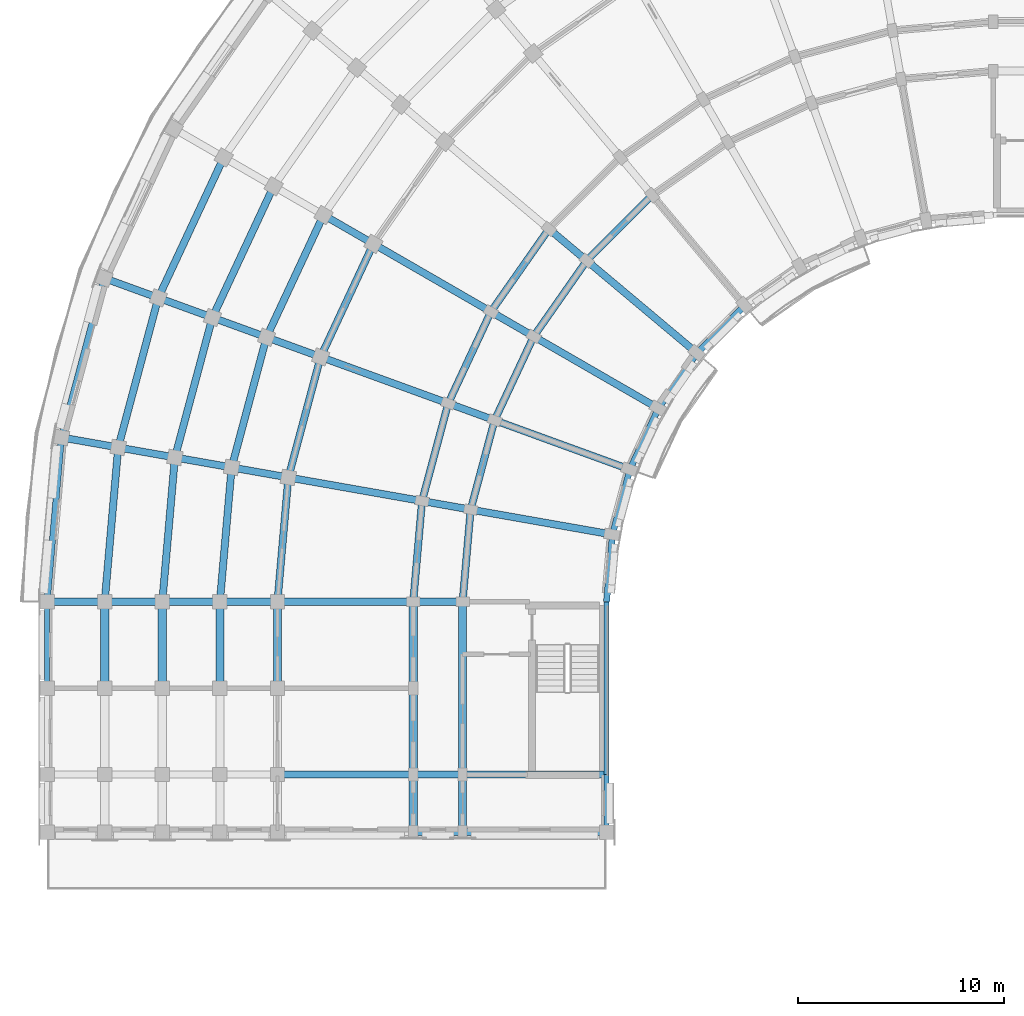
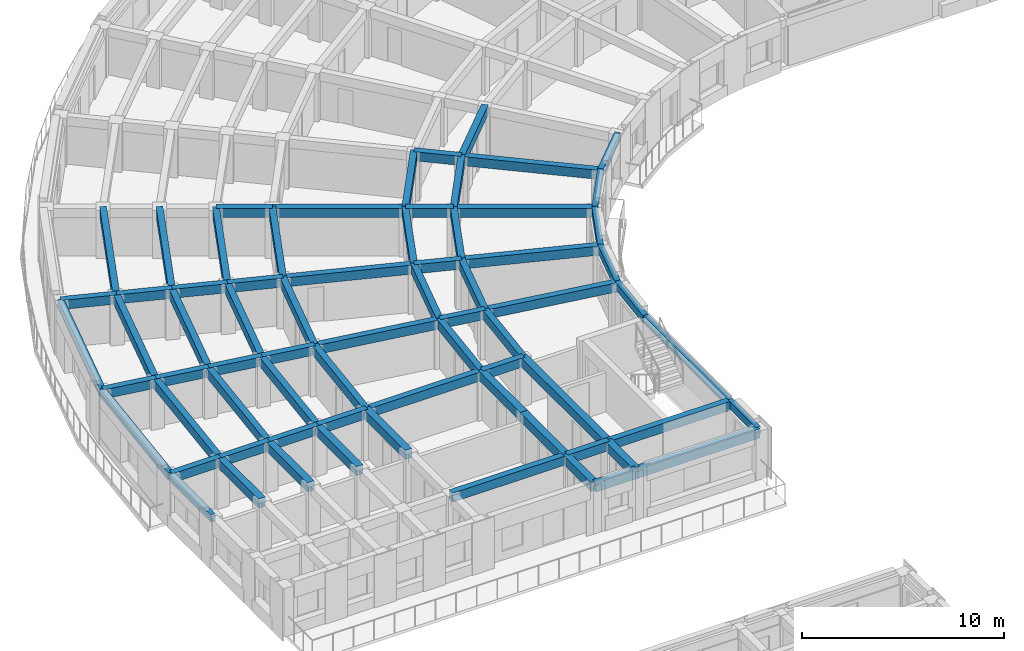
# One storey, part 7 of 54: 71 beams.
"""IFC4 building model written with IfcOpenShell, lengths in metres."""

from ifc_helpers import new_model, si_unit, direction, frame, origin, origin_2d, place, context, subcontext, project, spatial, rectangle, extrude, material, material_profile, profile_set, type_object, element, save


model = new_model("IFC4")

# Units and contexts
model_context = context("Model", 3, precision=1e-05, world=origin(), true_north=direction((0.0, 1.0)))
body_context = subcontext(model_context, "Body", "Model", "MODEL_VIEW")
ifc_project = project(units=[si_unit("LENGTHUNIT", "METRE"), si_unit("AREAUNIT", "SQUARE_METRE"), si_unit("VOLUMEUNIT", "CUBIC_METRE"), si_unit("PLANEANGLEUNIT", "RADIAN"), si_unit("MASSUNIT", "GRAM", prefix="KILO")], contexts=[model_context])

# Site, building, storey
site_placement = place(None, origin())
site = spatial("IfcSite", under=ifc_project, at=site_placement, CompositionType="ELEMENT")
building_placement = place(site_placement, origin())
building = spatial("IfcBuilding", under=site, at=building_placement, Name="Kiranvali Square Residences", CompositionType="ELEMENT")
storey_placement = place(building_placement, frame((0.0, 0.0, 27.60009765625)))
storey = spatial("IfcBuildingStorey", under=building, at=storey_placement, Name="L08", CompositionType="ELEMENT", Elevation=27.60009765625)

# Beams
ifc_material_1 = material(Name="Concrete M40 (40 MPa)", Category="concrete")
ifc_material_profile_1 = material_profile(ifc_material_1, rectangle(XDim=0.35009765625, YDim=0.550048828125, at=origin_2d()), Name="RC 350x550")
ifc_profile_set_1 = profile_set([ifc_material_profile_1], Name="Concrete M40 (40 MPa)")
beam_type_1 = type_object("IfcBeamType", Name="BM-M40-350x550", PredefinedType="BEAM", material=ifc_profile_set_1)
beam_1_placement = place(storey_placement, frame((31.615966796875, 107.56396484375, 2.65478515625), z_axis=(-0.707106781187, -0.707106781187, 0.0), x_axis=(0.707106781187, -0.707106781187, 0.0)))
element("IfcBeam", 1, at=beam_1_placement, inside=storey, type_object=beam_type_1, Name="L08 beam BM-A-L08-C04-R1", PredefinedType="BEAM", context=body_context, shape_type="SweptSolid", body=[
    extrude(rectangle(XDim=0.35009765625, YDim=0.550048828125, at=origin_2d()), origin(), (0.0, 0.0, 1.0), 4.4970703125),
])
beam_2_placement = place(storey_placement, frame((28.43603515625, 104.384033203125, 2.65478515625), z_axis=(-0.573571637217, -0.819155404658, 0.0), x_axis=(0.819155404658, -0.573571637217, 0.0)))
element("IfcBeam", 2, at=beam_2_placement, inside=storey, type_object=beam_type_1, Name="L08 beam BM-A-L08-C05-R1", PredefinedType="BEAM", context=body_context, shape_type="SweptSolid", body=[
    extrude(rectangle(XDim=0.35009765625, YDim=0.550048828125, at=origin_2d()), origin(), (0.0, 0.0, 1.0), 4.497314453125),
])
beam_3_placement = place(storey_placement, frame((26.59765625, 105.926513671875, 2.65478515625), z_axis=(-0.573592335331, -0.819140911474, 0.0), x_axis=(0.819140911474, -0.573592335331, 0.0)))
element("IfcBeam", 3, at=beam_3_placement, inside=storey, type_object=beam_type_1, Name="L08 beam BM-A-L08-C05-R2", PredefinedType="BEAM", context=body_context, shape_type="SweptSolid", body=[
    extrude(rectangle(XDim=0.35009765625, YDim=0.550048828125, at=origin_2d()), origin(), (0.0, 0.0, 1.0), 4.915771484375),
])
beam_4_placement = place(storey_placement, frame((25.8564453125, 100.699951171875, 2.65478515625), z_axis=(-0.422617978463, -0.906307919131, 0.0), x_axis=(0.906307919131, -0.422617978463, 0.0)))
element("IfcBeam", 4, at=beam_4_placement, inside=storey, type_object=beam_type_1, Name="L08 beam BM-A-L08-C06-R1", PredefinedType="BEAM", context=body_context, shape_type="SweptSolid", body=[
    extrude(rectangle(XDim=0.35009765625, YDim=0.550048828125, at=origin_2d()), origin(), (0.0, 0.0, 1.0), 4.497314453125),
])
beam_5_placement = place(storey_placement, frame((23.778076171875, 101.89990234375, 2.65478515625), z_axis=(-0.422629854778, -0.906302381024, 0.0), x_axis=(0.906302381024, -0.422629854778, 0.0)))
element("IfcBeam", 5, at=beam_5_placement, inside=storey, type_object=beam_type_1, Name="L08 beam BM-A-L08-C06-R2", PredefinedType="BEAM", context=body_context, shape_type="SweptSolid", body=[
    extrude(rectangle(XDim=0.35009765625, YDim=0.550048828125, at=origin_2d()), origin(), (0.0, 0.0, 1.0), 4.915283203125),
])
beam_6_placement = place(storey_placement, frame((18.062255859375, 105.199951171875, 2.65478515625), z_axis=(-0.42260781991, -0.906312656069, 0.0), x_axis=(0.906312656069, -0.42260781991, 0.0)))
element("IfcBeam", 6, at=beam_6_placement, inside=storey, type_object=beam_type_1, Name="L08 beam BM-A-L08-C06-R3", PredefinedType="BEAM", context=body_context, shape_type="SweptSolid", body=[
    extrude(rectangle(XDim=0.35009765625, YDim=0.550048828125, at=origin_2d()), origin(), (0.0, 0.0, 1.0), 6.06591796875),
])
beam_7_placement = place(storey_placement, frame((15.637451171875, 106.60009765625, 2.65478515625), z_axis=(-0.422595876255, -0.906318225223, 0.0), x_axis=(0.906318225223, -0.422595876255, 0.0)))
element("IfcBeam", 7, at=beam_7_placement, inside=storey, type_object=beam_type_1, Name="L08 beam BM-A-L08-C06-R4", PredefinedType="BEAM", context=body_context, shape_type="SweptSolid", body=[
    extrude(rectangle(XDim=0.35009765625, YDim=0.550048828125, at=origin_2d()), origin(), (0.0, 0.0, 1.0), 6.55419921875),
])
beam_8_placement = place(storey_placement, frame((13.212646484375, 108.0, 2.65478515625), z_axis=(-0.422640621205, -0.906297360311, 0.0), x_axis=(0.906297360311, -0.422640621205, 0.0)))
element("IfcBeam", 8, at=beam_8_placement, inside=storey, type_object=beam_type_1, Name="L08 beam BM-A-L08-C06-R5", PredefinedType="BEAM", context=body_context, shape_type="SweptSolid", body=[
    extrude(rectangle(XDim=0.35009765625, YDim=0.550048828125, at=origin_2d()), origin(), (0.0, 0.0, 1.0), 7.042236328125),
])
beam_9_placement = place(storey_placement, frame((10.78759765625, 109.39990234375, 2.65478515625), z_axis=(-0.422613886933, -0.90630982703, 0.0), x_axis=(0.90630982703, -0.422613886933, 0.0)))
element("IfcBeam", 9, at=beam_9_placement, inside=storey, type_object=beam_type_1, Name="L08 beam BM-A-L08-C06-R6", PredefinedType="BEAM", context=body_context, shape_type="SweptSolid", body=[
    extrude(rectangle(XDim=0.35009765625, YDim=0.550048828125, at=origin_2d()), origin(), (0.0, 0.0, 1.0), 7.5302734375),
])
beam_10_placement = place(storey_placement, frame((23.955810546875, 96.6240234375, 2.65478515625), z_axis=(-0.258787642463, -0.965934240054, 0.0), x_axis=(0.965934240054, -0.258787642463, 0.0)))
element("IfcBeam", 10, at=beam_10_placement, inside=storey, type_object=beam_type_1, Name="L08 beam BM-A-L08-C07-R1", PredefinedType="BEAM", context=body_context, shape_type="SweptSolid", body=[
    extrude(rectangle(XDim=0.35009765625, YDim=0.550048828125, at=origin_2d()), origin(), (0.0, 0.0, 1.0), 4.497314453125),
])
beam_11_placement = place(storey_placement, frame((21.70068359375, 97.445068359375, 2.65478515625), z_axis=(-0.258803112091, -0.965930095386, 0.0), x_axis=(0.965930095386, -0.258803112091, 0.0)))
element("IfcBeam", 11, at=beam_11_placement, inside=storey, type_object=beam_type_1, Name="L08 beam BM-A-L08-C07-R2", PredefinedType="BEAM", context=body_context, shape_type="SweptSolid", body=[
    extrude(rectangle(XDim=0.35009765625, YDim=0.550048828125, at=origin_2d()), origin(), (0.0, 0.0, 1.0), 4.915771484375),
])
beam_12_placement = place(storey_placement, frame((15.498779296875, 99.702392578125, 2.65478515625), z_axis=(-0.258827283048, -0.965923618901, 0.0), x_axis=(0.965923618901, -0.258827283048, 0.0)))
element("IfcBeam", 12, at=beam_12_placement, inside=storey, type_object=beam_type_1, Name="L08 beam BM-A-L08-C07-R3", PredefinedType="BEAM", context=body_context, shape_type="SweptSolid", body=[
    extrude(rectangle(XDim=0.35009765625, YDim=0.550048828125, at=origin_2d()), origin(), (0.0, 0.0, 1.0), 6.066162109375),
])
beam_13_placement = place(storey_placement, frame((12.86767578125, 100.659912109375, 2.65478515625), z_axis=(-0.258847178297, -0.965918287583, 0.0), x_axis=(0.965918287583, -0.258847178297, 0.0)))
element("IfcBeam", 13, at=beam_13_placement, inside=storey, type_object=beam_type_1, Name="L08 beam BM-A-L08-C07-R4", PredefinedType="BEAM", context=body_context, shape_type="SweptSolid", body=[
    extrude(rectangle(XDim=0.35009765625, YDim=0.550048828125, at=origin_2d()), origin(), (0.0, 0.0, 1.0), 6.55419921875),
])
beam_14_placement = place(storey_placement, frame((10.236328125, 101.61767578125, 2.65478515625), z_axis=(-0.258799624492, -0.965931029817, 0.0), x_axis=(0.965931029817, -0.258799624492, 0.0)))
element("IfcBeam", 14, at=beam_14_placement, inside=storey, type_object=beam_type_1, Name="L08 beam BM-A-L08-C07-R5", PredefinedType="BEAM", context=body_context, shape_type="SweptSolid", body=[
    extrude(rectangle(XDim=0.35009765625, YDim=0.550048828125, at=origin_2d()), origin(), (0.0, 0.0, 1.0), 7.042236328125),
])
beam_15_placement = place(storey_placement, frame((7.605224609375, 102.5751953125, 2.65478515625), z_axis=(-0.258818733833, -0.965925909693, 0.0), x_axis=(0.965925909693, -0.258818733833, 0.0)))
element("IfcBeam", 15, at=beam_15_placement, inside=storey, type_object=beam_type_1, Name="L08 beam BM-A-L08-C07-R6", PredefinedType="BEAM", context=body_context, shape_type="SweptSolid", body=[
    extrude(rectangle(XDim=0.35009765625, YDim=0.550048828125, at=origin_2d()), origin(), (0.0, 0.0, 1.0), 7.5302734375),
])
beam_16_placement = place(storey_placement, frame((22.7919921875, 92.280029296875, 2.65478515625), z_axis=(-0.087187153726, -0.996191949488, 0.0), x_axis=(0.996191949488, -0.087187153726, 0.0)))
element("IfcBeam", 16, at=beam_16_placement, inside=storey, type_object=beam_type_1, Name="L08 beam BM-A-L08-C08-R1", PredefinedType="BEAM", context=body_context, shape_type="SweptSolid", body=[
    extrude(rectangle(XDim=0.35009765625, YDim=0.550048828125, at=origin_2d()), origin(), (0.0, 0.0, 1.0), 4.4970703125),
])
beam_17_placement = place(storey_placement, frame((20.428466796875, 92.69677734375, 2.65478515625), z_axis=(-0.087167566415, -0.996193663584, 0.0), x_axis=(0.996193663584, -0.087167566415, 0.0)))
element("IfcBeam", 17, at=beam_17_placement, inside=storey, type_object=beam_type_1, Name="L08 beam BM-A-L08-C08-R2", PredefinedType="BEAM", context=body_context, shape_type="SweptSolid", body=[
    extrude(rectangle(XDim=0.35009765625, YDim=0.550048828125, at=origin_2d()), origin(), (0.0, 0.0, 1.0), 4.91552734375),
])
beam_18_placement = place(storey_placement, frame((13.9287109375, 93.843017578125, 2.65478515625), z_axis=(-0.087174938512, -0.996193018494, 0.0), x_axis=(0.996193018494, -0.087174938512, 0.0)))
element("IfcBeam", 18, at=beam_18_placement, inside=storey, type_object=beam_type_1, Name="L08 beam BM-A-L08-C08-R3", PredefinedType="BEAM", context=body_context, shape_type="SweptSolid", body=[
    extrude(rectangle(XDim=0.35009765625, YDim=0.550048828125, at=origin_2d()), origin(), (0.0, 0.0, 1.0), 6.066162109375),
])
beam_19_placement = place(storey_placement, frame((11.171142578125, 94.3291015625, 2.65478515625), z_axis=(-0.0871295204, -0.996196991902, 0.0), x_axis=(0.996196991902, -0.0871295204, 0.0)))
element("IfcBeam", 19, at=beam_19_placement, inside=storey, type_object=beam_type_1, Name="L08 beam BM-A-L08-C08-R4", PredefinedType="BEAM", context=body_context, shape_type="SweptSolid", body=[
    extrude(rectangle(XDim=0.35009765625, YDim=0.550048828125, at=origin_2d()), origin(), (0.0, 0.0, 1.0), 6.553955078125),
])
beam_20_placement = place(storey_placement, frame((8.413818359375, 94.8154296875, 2.65478515625), z_axis=(-0.087156198737, -0.996194658198, 0.0), x_axis=(0.996194658198, -0.087156198737, 0.0)))
element("IfcBeam", 20, at=beam_20_placement, inside=storey, type_object=beam_type_1, Name="L08 beam BM-A-L08-C08-R5", PredefinedType="BEAM", context=body_context, shape_type="SweptSolid", body=[
    extrude(rectangle(XDim=0.35009765625, YDim=0.550048828125, at=origin_2d()), origin(), (0.0, 0.0, 1.0), 7.042236328125),
])
beam_21_placement = place(storey_placement, frame((5.65625, 95.301513671875, 2.65478515625), z_axis=(-0.087150058103, -0.996195195417, 0.0), x_axis=(0.996195195417, -0.087150058103, 0.0)))
element("IfcBeam", 21, at=beam_21_placement, inside=storey, type_object=beam_type_1, Name="L08 beam BM-A-L08-C08-R6", PredefinedType="BEAM", context=body_context, shape_type="SweptSolid", body=[
    extrude(rectangle(XDim=0.35009765625, YDim=0.550048828125, at=origin_2d()), origin(), (0.0, 0.0, 1.0), 7.530029296875),
])
beam_22_placement = place(storey_placement, frame((33.79833984375, 99.884521484375, 2.65478515625), z_axis=(-0.766044173478, 0.642787931032, 0.0), x_axis=(-0.642787931032, -0.766044173478, 0.0)))
element("IfcBeam", 22, at=beam_22_placement, inside=storey, type_object=beam_type_1, Name="L08 beam BM-A-L08-RAD05-01", PredefinedType="BEAM", context=body_context, shape_type="SweptSolid", body=[
    extrude(rectangle(XDim=0.35009765625, YDim=0.550048828125, at=origin_2d()), origin(), (0.0, 0.0, 1.0), 7.0),
])
beam_23_placement = place(storey_placement, frame((28.43603515625, 104.384033203125, 2.65478515625), z_axis=(-0.766065493671, 0.642762521781, 0.0), x_axis=(-0.642762521781, -0.766065493671, 0.0)))
element("IfcBeam", 23, at=beam_23_placement, inside=storey, type_object=beam_type_1, Name="L08 beam BM-A-L08-RAD05-12", PredefinedType="BEAM", context=body_context, shape_type="SweptSolid", body=[
    extrude(rectangle(XDim=0.35009765625, YDim=0.550048828125, at=origin_2d()), origin(), (0.0, 0.0, 1.0), 2.399658203125),
])
beam_24_placement = place(storey_placement, frame((31.918701171875, 97.199951171875, 2.65478515625), z_axis=(-0.866028190633, 0.499995173006, 0.0), x_axis=(-0.499995173006, -0.866028190633, 0.0)))
element("IfcBeam", 24, at=beam_24_placement, inside=storey, type_object=beam_type_1, Name="L08 beam BM-A-L08-RAD06-01", PredefinedType="BEAM", context=body_context, shape_type="SweptSolid", body=[
    extrude(rectangle(XDim=0.35009765625, YDim=0.550048828125, at=origin_2d()), origin(), (0.0, 0.0, 1.0), 7.0),
])
beam_25_placement = place(storey_placement, frame((25.8564453125, 100.699951171875, 2.65478515625), z_axis=(-0.866024647952, 0.500001309137, 0.0), x_axis=(-0.500001309137, -0.866024647952, 0.0)))
element("IfcBeam", 25, at=beam_25_placement, inside=storey, type_object=beam_type_1, Name="L08 beam BM-A-L08-RAD06-12", PredefinedType="BEAM", context=body_context, shape_type="SweptSolid", body=[
    extrude(rectangle(XDim=0.35009765625, YDim=0.550048828125, at=origin_2d()), origin(), (0.0, 0.0, 1.0), 2.39990234375),
])
beam_26_placement = place(storey_placement, frame((23.778076171875, 101.89990234375, 2.65478515625), z_axis=(-0.866024194504, 0.500002094529, 0.0), x_axis=(-0.500002094529, -0.866024194504, 0.0)))
element("IfcBeam", 26, at=beam_26_placement, inside=storey, type_object=beam_type_1, Name="L08 beam BM-A-L08-RAD06-23", PredefinedType="BEAM", context=body_context, shape_type="SweptSolid", body=[
    extrude(rectangle(XDim=0.35009765625, YDim=0.550048828125, at=origin_2d()), origin(), (0.0, 0.0, 1.0), 6.60009765625),
])
beam_27_placement = place(storey_placement, frame((18.062255859375, 105.199951171875, 2.65478515625), z_axis=(-0.865996816683, 0.500049511043, 0.0), x_axis=(-0.500049511043, -0.865996816683, 0.0)))
element("IfcBeam", 27, at=beam_27_placement, inside=storey, type_object=beam_type_1, Name="L08 beam BM-A-L08-RAD06-34", PredefinedType="BEAM", context=body_context, shape_type="SweptSolid", body=[
    extrude(rectangle(XDim=0.35009765625, YDim=0.550048828125, at=origin_2d()), origin(), (0.0, 0.0, 1.0), 2.800048828125),
])
beam_28_placement = place(storey_placement, frame((30.53369140625, 94.22998046875, 2.65478515625), z_axis=(-0.939697665127, 0.342006283793, 0.0), x_axis=(-0.342006283793, -0.939697665127, 0.0)))
element("IfcBeam", 28, at=beam_28_placement, inside=storey, type_object=beam_type_1, Name="L08 beam BM-A-L08-RAD07-01", PredefinedType="BEAM", context=body_context, shape_type="SweptSolid", body=[
    extrude(rectangle(XDim=0.35009765625, YDim=0.550048828125, at=origin_2d()), origin(), (0.0, 0.0, 1.0), 7.0),
])
beam_29_placement = place(storey_placement, frame((23.955810546875, 96.6240234375, 2.65478515625), z_axis=(-0.939659694648, 0.342110593602, 0.0), x_axis=(-0.342110593602, -0.939659694648, 0.0)))
element("IfcBeam", 29, at=beam_29_placement, inside=storey, type_object=beam_type_1, Name="L08 beam BM-A-L08-RAD07-12", PredefinedType="BEAM", context=body_context, shape_type="SweptSolid", body=[
    extrude(rectangle(XDim=0.35009765625, YDim=0.550048828125, at=origin_2d()), origin(), (0.0, 0.0, 1.0), 2.39990234375),
])
beam_30_placement = place(storey_placement, frame((21.70068359375, 97.445068359375, 2.65478515625), z_axis=(-0.939691858249, 0.342022238372, 0.0), x_axis=(-0.342022238372, -0.939691858249, 0.0)))
element("IfcBeam", 30, at=beam_30_placement, inside=storey, type_object=beam_type_1, Name="L08 beam BM-A-L08-RAD07-23", PredefinedType="BEAM", context=body_context, shape_type="SweptSolid", body=[
    extrude(rectangle(XDim=0.35009765625, YDim=0.550048828125, at=origin_2d()), origin(), (0.0, 0.0, 1.0), 6.599853515625),
])
beam_31_placement = place(storey_placement, frame((15.498779296875, 99.702392578125, 2.65478515625), z_axis=(-0.93970683422, 0.341981089711, 0.0), x_axis=(-0.341981089711, -0.93970683422, 0.0)))
element("IfcBeam", 31, at=beam_31_placement, inside=storey, type_object=beam_type_1, Name="L08 beam BM-A-L08-RAD07-34", PredefinedType="BEAM", context=body_context, shape_type="SweptSolid", body=[
    extrude(rectangle(XDim=0.35009765625, YDim=0.550048828125, at=origin_2d()), origin(), (0.0, 0.0, 1.0), 2.7998046875),
])
beam_32_placement = place(storey_placement, frame((12.86767578125, 100.659912109375, 2.65478515625), z_axis=(-0.939689011208, 0.342030060398, 0.0), x_axis=(-0.342030060398, -0.939689011208, 0.0)))
element("IfcBeam", 32, at=beam_32_placement, inside=storey, type_object=beam_type_1, Name="L08 beam BM-A-L08-RAD07-45", PredefinedType="BEAM", context=body_context, shape_type="SweptSolid", body=[
    extrude(rectangle(XDim=0.35009765625, YDim=0.550048828125, at=origin_2d()), origin(), (0.0, 0.0, 1.0), 2.80029296875),
])
beam_33_placement = place(storey_placement, frame((10.236328125, 101.61767578125, 2.65478515625), z_axis=(-0.93970683422, 0.341981089711, 0.0), x_axis=(-0.341981089711, -0.93970683422, 0.0)))
element("IfcBeam", 33, at=beam_33_placement, inside=storey, type_object=beam_type_1, Name="L08 beam BM-A-L08-RAD07-56", PredefinedType="BEAM", context=body_context, shape_type="SweptSolid", body=[
    extrude(rectangle(XDim=0.35009765625, YDim=0.550048828125, at=origin_2d()), origin(), (0.0, 0.0, 1.0), 2.7998046875),
])
beam_34_placement = place(storey_placement, frame((7.605224609375, 102.5751953125, 2.65478515625), z_axis=(-0.939678810556, 0.342058084236, 0.0), x_axis=(-0.342058084236, -0.939678810556, 0.0)))
element("IfcBeam", 34, at=beam_34_placement, inside=storey, type_object=beam_type_1, Name="L08 beam BM-A-L08-RAD07-67", PredefinedType="BEAM", context=body_context, shape_type="SweptSolid", body=[
    extrude(rectangle(XDim=0.35009765625, YDim=0.550048828125, at=origin_2d()), origin(), (0.0, 0.0, 1.0), 2.800048828125),
])
beam_35_placement = place(storey_placement, frame((29.685546875, 91.064697265625, 2.65478515625), z_axis=(-0.984812337125, 0.173622177865, 0.0), x_axis=(-0.173622177865, -0.984812337125, 0.0)))
element("IfcBeam", 35, at=beam_35_placement, inside=storey, type_object=beam_type_1, Name="L08 beam BM-A-L08-RAD08-01", PredefinedType="BEAM", context=body_context, shape_type="SweptSolid", body=[
    extrude(rectangle(XDim=0.35009765625, YDim=0.550048828125, at=origin_2d()), origin(), (0.0, 0.0, 1.0), 6.999755859375),
])
beam_36_placement = place(storey_placement, frame((22.7919921875, 92.280029296875, 2.65478515625), z_axis=(-0.984808127031, 0.173646056486, 0.0), x_axis=(-0.173646056486, -0.984808127031, 0.0)))
element("IfcBeam", 36, at=beam_36_placement, inside=storey, type_object=beam_type_1, Name="L08 beam BM-A-L08-RAD08-12", PredefinedType="BEAM", context=body_context, shape_type="SweptSolid", body=[
    extrude(rectangle(XDim=0.35009765625, YDim=0.550048828125, at=origin_2d()), origin(), (0.0, 0.0, 1.0), 2.39990234375),
])
beam_37_placement = place(storey_placement, frame((20.428466796875, 92.69677734375, 2.65478515625), z_axis=(-0.984803661269, 0.173671381499, 0.0), x_axis=(-0.173671381499, -0.984803661269, 0.0)))
element("IfcBeam", 37, at=beam_37_placement, inside=storey, type_object=beam_type_1, Name="L08 beam BM-A-L08-RAD08-23", PredefinedType="BEAM", context=body_context, shape_type="SweptSolid", body=[
    extrude(rectangle(XDim=0.35009765625, YDim=0.550048828125, at=origin_2d()), origin(), (0.0, 0.0, 1.0), 6.60009765625),
])
beam_38_placement = place(storey_placement, frame((13.9287109375, 93.843017578125, 2.65478515625), z_axis=(-0.984816895441, 0.173596320392, 0.0), x_axis=(-0.173596320392, -0.984816895441, 0.0)))
element("IfcBeam", 38, at=beam_38_placement, inside=storey, type_object=beam_type_1, Name="L08 beam BM-A-L08-RAD08-34", PredefinedType="BEAM", context=body_context, shape_type="SweptSolid", body=[
    extrude(rectangle(XDim=0.35009765625, YDim=0.550048828125, at=origin_2d()), origin(), (0.0, 0.0, 1.0), 2.800048828125),
])
beam_39_placement = place(storey_placement, frame((11.171142578125, 94.3291015625, 2.65478515625), z_axis=(-0.984799355489, 0.173695795656, 0.0), x_axis=(-0.173695795656, -0.984799355489, 0.0)))
element("IfcBeam", 39, at=beam_39_placement, inside=storey, type_object=beam_type_1, Name="L08 beam BM-A-L08-RAD08-45", PredefinedType="BEAM", context=body_context, shape_type="SweptSolid", body=[
    extrude(rectangle(XDim=0.35009765625, YDim=0.550048828125, at=origin_2d()), origin(), (0.0, 0.0, 1.0), 2.7998046875),
])
beam_40_placement = place(storey_placement, frame((8.413818359375, 94.8154296875, 2.65478515625), z_axis=(-0.984816895441, 0.173596320392, 0.0), x_axis=(-0.173596320392, -0.984816895441, 0.0)))
element("IfcBeam", 40, at=beam_40_placement, inside=storey, type_object=beam_type_1, Name="L08 beam BM-A-L08-RAD08-56", PredefinedType="BEAM", context=body_context, shape_type="SweptSolid", body=[
    extrude(rectangle(XDim=0.35009765625, YDim=0.550048828125, at=origin_2d()), origin(), (0.0, 0.0, 1.0), 2.800048828125),
])
beam_41_placement = place(storey_placement, frame((5.65625, 95.301513671875, 2.65478515625), z_axis=(-0.984799355489, 0.173695795656, 0.0), x_axis=(-0.173695795656, -0.984799355489, 0.0)))
element("IfcBeam", 41, at=beam_41_placement, inside=storey, type_object=beam_type_1, Name="L08 beam BM-A-L08-RAD08-67", PredefinedType="BEAM", context=body_context, shape_type="SweptSolid", body=[
    extrude(rectangle(XDim=0.35009765625, YDim=0.550048828125, at=origin_2d()), origin(), (0.0, 0.0, 1.0), 2.7998046875),
])
beam_42_placement = place(storey_placement, frame((22.39990234375, 87.800048828125, 2.65478515625), z_axis=(-1.0, 0.0, 0.0), x_axis=(0.0, -1.0, 0.0)))
element("IfcBeam", 42, at=beam_42_placement, inside=storey, type_object=beam_type_1, Name="L08 beam BM-A-L08-A2T0-12", PredefinedType="BEAM", context=body_context, shape_type="SweptSolid", body=[
    extrude(rectangle(XDim=0.35009765625, YDim=0.550048828125, at=origin_2d()), origin(), (0.0, 0.0, 1.0), 2.39990234375),
])
beam_43_placement = place(storey_placement, frame((20.0, 87.800048828125, 2.65478515625), z_axis=(-1.0, 0.0, 0.0), x_axis=(0.0, -1.0, 0.0)))
element("IfcBeam", 43, at=beam_43_placement, inside=storey, type_object=beam_type_1, Name="L08 beam BM-A-L08-A2T0-23", PredefinedType="BEAM", context=body_context, shape_type="SweptSolid", body=[
    extrude(rectangle(XDim=0.35009765625, YDim=0.550048828125, at=origin_2d()), origin(), (0.0, 0.0, 1.0), 6.60009765625),
])
beam_44_placement = place(storey_placement, frame((13.39990234375, 87.800048828125, 2.65478515625), z_axis=(-1.0, 0.0, 0.0), x_axis=(0.0, -1.0, 0.0)))
element("IfcBeam", 44, at=beam_44_placement, inside=storey, type_object=beam_type_1, Name="L08 beam BM-A-L08-A2T0-34", PredefinedType="BEAM", context=body_context, shape_type="SweptSolid", body=[
    extrude(rectangle(XDim=0.35009765625, YDim=0.550048828125, at=origin_2d()), origin(), (0.0, 0.0, 1.0), 2.7998046875),
])
for number, where, z_axis, x_axis, name in (
    (45, (10.60009765625, 87.800048828125, 2.65478515625), (-1.0, 0.0, 0.0), (0.0, -1.0, 0.0), "L08 beam BM-A-L08-A2T0-45"),
    (46, (7.800048828125, 87.800048828125, 2.65478515625), (-1.0, 0.0, 0.0), (0.0, -1.0, 0.0), "L08 beam BM-A-L08-A2T0-56"),
    (47, (5.0, 87.800048828125, 2.65478515625), (-1.0, 0.0, 0.0), (0.0, -1.0, 0.0), "L08 beam BM-A-L08-A2T0-67"),
):
    element("IfcBeam", number, at=place(storey_placement, frame(where, z_axis=z_axis, x_axis=x_axis)), inside=storey, type_object=beam_type_1, Name=name, PredefinedType="BEAM", context=body_context, shape_type="SweptSolid", body=[
        extrude(rectangle(XDim=0.35009765625, YDim=0.550048828125, at=origin_2d()), origin(), (0.0, 0.0, 1.0), 2.800048828125),
    ])
beam_45_placement = place(storey_placement, frame((29.39990234375, 79.39990234375, 2.65478515625), z_axis=(-1.0, 0.0, 0.0), x_axis=(0.0, -1.0, 0.0)))
element("IfcBeam", 48, at=beam_45_placement, inside=storey, type_object=beam_type_1, Name="L08 beam BM-A-L08-A2T1-01", PredefinedType="BEAM", context=body_context, shape_type="SweptSolid", body=[
    extrude(rectangle(XDim=0.35009765625, YDim=0.550048828125, at=origin_2d()), origin(), (0.0, 0.0, 1.0), 7.0),
])
beam_46_placement = place(storey_placement, frame((22.39990234375, 79.39990234375, 2.65478515625), z_axis=(-1.0, 0.0, 0.0), x_axis=(0.0, -1.0, 0.0)))
element("IfcBeam", 49, at=beam_46_placement, inside=storey, type_object=beam_type_1, Name="L08 beam BM-A-L08-A2T1-12", PredefinedType="BEAM", context=body_context, shape_type="SweptSolid", body=[
    extrude(rectangle(XDim=0.35009765625, YDim=0.550048828125, at=origin_2d()), origin(), (0.0, 0.0, 1.0), 2.39990234375),
])
beam_47_placement = place(storey_placement, frame((20.0, 79.39990234375, 2.65478515625), z_axis=(-1.0, 0.0, 0.0), x_axis=(0.0, -1.0, 0.0)))
element("IfcBeam", 50, at=beam_47_placement, inside=storey, type_object=beam_type_1, Name="L08 beam BM-A-L08-A2T1-23", PredefinedType="BEAM", context=body_context, shape_type="SweptSolid", body=[
    extrude(rectangle(XDim=0.35009765625, YDim=0.550048828125, at=origin_2d()), origin(), (0.0, 0.0, 1.0), 6.60009765625),
])
beam_48_placement = place(storey_placement, frame((29.39990234375, 76.60009765625, 2.65478515625), z_axis=(-1.0, 0.0, 0.0), x_axis=(0.0, -1.0, 0.0)))
element("IfcBeam", 51, at=beam_48_placement, inside=storey, type_object=beam_type_1, Name="L08 beam BM-A-L08-A2T2-01", PredefinedType="BEAM", context=body_context, shape_type="SweptSolid", body=[
    extrude(rectangle(XDim=0.35009765625, YDim=0.550048828125, at=origin_2d()), origin(), (0.0, 0.0, 1.0), 7.0),
])
beam_49_placement = place(storey_placement, frame((22.39990234375, 76.60009765625, 2.65478515625), z_axis=(-1.0, 0.0, 0.0), x_axis=(0.0, -1.0, 0.0)))
element("IfcBeam", 52, at=beam_49_placement, inside=storey, type_object=beam_type_1, Name="L08 beam BM-A-L08-A2T2-12", PredefinedType="BEAM", context=body_context, shape_type="SweptSolid", body=[
    extrude(rectangle(XDim=0.35009765625, YDim=0.550048828125, at=origin_2d()), origin(), (0.0, 0.0, 1.0), 2.39990234375),
])
ifc_material_2 = material(Name="Concrete M45 (45 MPa)", Category="concrete")
ifc_material_profile_2 = material_profile(ifc_material_2, rectangle(XDim=0.39990234375, YDim=0.550048828125, at=origin_2d()), Name="RC 400x550")
ifc_profile_set_2 = profile_set([ifc_material_profile_2], Name="Concrete M45 (45 MPa)")
beam_type_2 = type_object("IfcBeamType", Name="BM-M45-400x550", PredefinedType="BEAM", material=ifc_profile_set_2)
beam_50_placement = place(storey_placement, frame((22.39990234375, 87.800048828125, 2.65478515625), z_axis=(0.0, -1.0, 0.0), x_axis=(1.0, 0.0, 0.0)))
element("IfcBeam", 53, at=beam_50_placement, inside=storey, type_object=beam_type_2, Name="L08 beam BM-A-L08-A2V0-R1", PredefinedType="BEAM", context=body_context, shape_type="SweptSolid", body=[
    extrude(rectangle(XDim=0.39990234375, YDim=0.550048828125, at=origin_2d()), origin(), (0.0, 0.0, 1.0), 8.400146484375),
])
beam_51_placement = place(storey_placement, frame((22.39990234375, 79.39990234375, 2.65478515625), z_axis=(0.0, -1.0, 0.0), x_axis=(1.0, 0.0, 0.0)))
element("IfcBeam", 54, at=beam_51_placement, inside=storey, type_object=beam_type_2, Name="L08 beam BM-A-L08-A2V1-R1", PredefinedType="BEAM", context=body_context, shape_type="SweptSolid", body=[
    extrude(rectangle(XDim=0.39990234375, YDim=0.550048828125, at=origin_2d()), origin(), (0.0, 0.0, 1.0), 2.7998046875),
])
beam_52_placement = place(storey_placement, frame((20.0, 87.800048828125, 2.65478515625), z_axis=(0.0, -1.0, 0.0), x_axis=(1.0, 0.0, 0.0)))
element("IfcBeam", 55, at=beam_52_placement, inside=storey, type_object=beam_type_2, Name="L08 beam BM-A-L08-A2V0-R2", PredefinedType="BEAM", context=body_context, shape_type="SweptSolid", body=[
    extrude(rectangle(XDim=0.39990234375, YDim=0.550048828125, at=origin_2d()), origin(), (0.0, 0.0, 1.0), 4.199951171875),
])
beam_53_placement = place(storey_placement, frame((20.0, 83.60009765625, 2.65478515625), z_axis=(0.0, -1.0, 0.0), x_axis=(1.0, 0.0, 0.0)))
element("IfcBeam", 56, at=beam_53_placement, inside=storey, type_object=beam_type_2, Name="L08 beam BM-A-L08-A2V1-R2", PredefinedType="BEAM", context=body_context, shape_type="SweptSolid", body=[
    extrude(rectangle(XDim=0.39990234375, YDim=0.550048828125, at=origin_2d()), origin(), (0.0, 0.0, 1.0), 4.2001953125),
])
beam_54_placement = place(storey_placement, frame((20.0, 79.39990234375, 2.65478515625), z_axis=(0.0, -1.0, 0.0), x_axis=(1.0, 0.0, 0.0)))
element("IfcBeam", 57, at=beam_54_placement, inside=storey, type_object=beam_type_2, Name="L08 beam BM-A-L08-A2V2-R2", PredefinedType="BEAM", context=body_context, shape_type="SweptSolid", body=[
    extrude(rectangle(XDim=0.39990234375, YDim=0.550048828125, at=origin_2d()), origin(), (0.0, 0.0, 1.0), 2.7998046875),
])
for number, where, z_axis, x_axis, name in (
    (58, (13.39990234375, 87.800048828125, 2.65478515625), (0.0, -1.0, 0.0), (1.0, 0.0, 0.0), "L08 beam BM-A-L08-A2V0-R3"),
    (59, (10.60009765625, 87.800048828125, 2.65478515625), (0.0, -1.0, 0.0), (1.0, 0.0, 0.0), "L08 beam BM-A-L08-A2V0-R4"),
    (60, (7.800048828125, 87.800048828125, 2.65478515625), (0.0, -1.0, 0.0), (1.0, 0.0, 0.0), "L08 beam BM-A-L08-A2V0-R5"),
    (61, (5.0, 87.800048828125, 2.65478515625), (0.0, -1.0, 0.0), (1.0, 0.0, 0.0), "L08 beam BM-A-L08-A2V0-R6"),
):
    element("IfcBeam", number, at=place(storey_placement, frame(where, z_axis=z_axis, x_axis=x_axis)), inside=storey, type_object=beam_type_2, Name=name, PredefinedType="BEAM", context=body_context, shape_type="SweptSolid", body=[
        extrude(rectangle(XDim=0.39990234375, YDim=0.550048828125, at=origin_2d()), origin(), (0.0, 0.0, 1.0), 4.199951171875),
    ])
ifc_material_profile_3 = material_profile(ifc_material_1, rectangle(XDim=0.25, YDim=0.449951171875, at=origin_2d()), Name="RC 250x450")
ifc_profile_set_3 = profile_set([ifc_material_profile_3], Name="Concrete M40 (40 MPa)")
beam_type_3 = type_object("IfcBeamType", Name="SPN-M40-250x450", PredefinedType="SPANDREL", material=ifc_profile_set_3)
beam_55_placement = place(storey_placement, frame((29.39990234375, 87.800048828125, 2.704833984375), z_axis=(0.0, -1.0, 0.0), x_axis=(1.0, 0.0, 0.0)))
element("IfcBeam", 62, at=beam_55_placement, inside=storey, type_object=beam_type_3, Name="L08 beam BM-A-L08-A2V0-R0", PredefinedType="SPANDREL", context=body_context, shape_type="SweptSolid", body=[
    extrude(rectangle(XDim=0.25, YDim=0.449951171875, at=origin_2d()), origin(), (0.0, 0.0, 1.0), 8.400146484375),
])
beam_56_placement = place(storey_placement, frame((29.39990234375, 79.39990234375, 2.704833984375), z_axis=(0.0, -1.0, 0.0), x_axis=(1.0, 0.0, 0.0)))
element("IfcBeam", 63, at=beam_56_placement, inside=storey, type_object=beam_type_3, Name="L08 beam BM-A-L08-A2V1-R0", PredefinedType="SPANDREL", context=body_context, shape_type="SweptSolid", body=[
    extrude(rectangle(XDim=0.25, YDim=0.449951171875, at=origin_2d()), origin(), (0.0, 0.0, 1.0), 2.7998046875),
])
beam_57_placement = place(storey_placement, frame((2.199951171875, 87.800048828125, 2.704833984375), z_axis=(0.0, -1.0, 0.0), x_axis=(1.0, 0.0, 0.0)))
element("IfcBeam", 64, at=beam_57_placement, inside=storey, type_object=beam_type_3, Name="L08 beam BM-A-L08-A2V0-R7", PredefinedType="SPANDREL", context=body_context, shape_type="SweptSolid", body=[
    extrude(rectangle(XDim=0.25, YDim=0.449951171875, at=origin_2d()), origin(), (0.0, 0.0, 1.0), 4.199951171875),
])
ifc_material_profile_4 = material_profile(ifc_material_1, rectangle(XDim=0.300048828125, YDim=0.449951171875, at=origin_2d()), Name="RC 300x450")
ifc_profile_set_4 = profile_set([ifc_material_profile_4], Name="Concrete M40 (40 MPa)")
beam_type_4 = type_object("IfcBeamType", Name="SPN-M40-300x450", PredefinedType="SPANDREL", material=ifc_profile_set_4)
beam_58_placement = place(storey_placement, frame((36.115478515625, 102.20166015625, 2.704833984375), z_axis=(-0.707106781187, -0.707106781187, 0.0), x_axis=(0.707106781187, -0.707106781187, 0.0)))
element("IfcBeam", 65, at=beam_58_placement, inside=storey, type_object=beam_type_4, Name="L08 beam BM-A-L08-C04-R0", PredefinedType="SPANDREL", context=body_context, shape_type="SweptSolid", body=[
    extrude(rectangle(XDim=0.300048828125, YDim=0.449951171875, at=origin_2d()), origin(), (0.0, 0.0, 1.0), 3.27685546875),
])
for number, where, z_axis, x_axis, name in (
    (66, (33.79833984375, 99.884521484375, 2.704833984375), (-0.573552337269, -0.81916891812, 0.0), (0.81916891812, -0.573552337269, 0.0), "L08 beam BM-A-L08-C05-R0"),
    (67, (31.918701171875, 97.199951171875, 2.704833984375), (-0.422640740585, -0.90629730464, 0.0), (0.90629730464, -0.422640740585, 0.0), "L08 beam BM-A-L08-C06-R0"),
):
    element("IfcBeam", number, at=place(storey_placement, frame(where, z_axis=z_axis, x_axis=x_axis)), inside=storey, type_object=beam_type_4, Name=name, PredefinedType="SPANDREL", context=body_context, shape_type="SweptSolid", body=[
        extrude(rectangle(XDim=0.300048828125, YDim=0.449951171875, at=origin_2d()), origin(), (0.0, 0.0, 1.0), 3.277099609375),
    ])
beam_59_placement = place(storey_placement, frame((30.53369140625, 94.22998046875, 2.704833984375), z_axis=(-0.258821736607, -0.965925105099, 0.0), x_axis=(0.965925105099, -0.258821736607, 0.0)))
element("IfcBeam", 68, at=beam_59_placement, inside=storey, type_object=beam_type_4, Name="L08 beam BM-A-L08-C07-R0", PredefinedType="SPANDREL", context=body_context, shape_type="SweptSolid", body=[
    extrude(rectangle(XDim=0.300048828125, YDim=0.449951171875, at=origin_2d()), origin(), (0.0, 0.0, 1.0), 3.27685546875),
])
beam_60_placement = place(storey_placement, frame((4.97412109375, 103.532958984375, 2.704833984375), z_axis=(-0.258807108475, -0.96592902462, 0.0), x_axis=(0.96592902462, -0.258807108475, 0.0)))
element("IfcBeam", 69, at=beam_60_placement, inside=storey, type_object=beam_type_4, Name="L08 beam BM-A-L08-C07-R7", PredefinedType="SPANDREL", context=body_context, shape_type="SweptSolid", body=[
    extrude(rectangle(XDim=0.300048828125, YDim=0.449951171875, at=origin_2d()), origin(), (0.0, 0.0, 1.0), 8.018310546875),
])
beam_61_placement = place(storey_placement, frame((29.685546875, 91.064697265625, 2.704833984375), z_axis=(-0.087163253657, -0.996194040944, 0.0), x_axis=(0.996194040944, -0.087163253657, 0.0)))
element("IfcBeam", 70, at=beam_61_placement, inside=storey, type_object=beam_type_4, Name="L08 beam BM-A-L08-C08-R0", PredefinedType="SPANDREL", context=body_context, shape_type="SweptSolid", body=[
    extrude(rectangle(XDim=0.300048828125, YDim=0.449951171875, at=origin_2d()), origin(), (0.0, 0.0, 1.0), 3.277099609375),
])
beam_62_placement = place(storey_placement, frame((2.89892578125, 95.787841796875, 2.704833984375), z_axis=(-0.087172238171, -0.996193254792, 0.0), x_axis=(0.996193254792, -0.087172238171, 0.0)))
element("IfcBeam", 71, at=beam_62_placement, inside=storey, type_object=beam_type_4, Name="L08 beam BM-A-L08-C08-R7", PredefinedType="SPANDREL", context=body_context, shape_type="SweptSolid", body=[
    extrude(rectangle(XDim=0.300048828125, YDim=0.449951171875, at=origin_2d()), origin(), (0.0, 0.0, 1.0), 8.018310546875),
])

save(model, "model.ifc")
